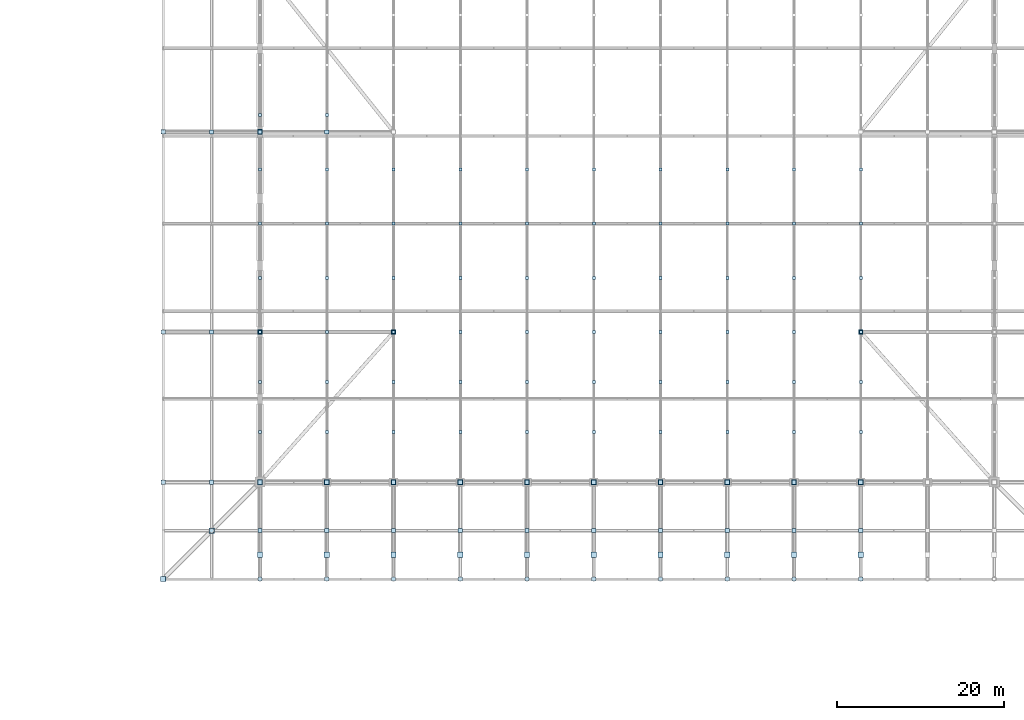
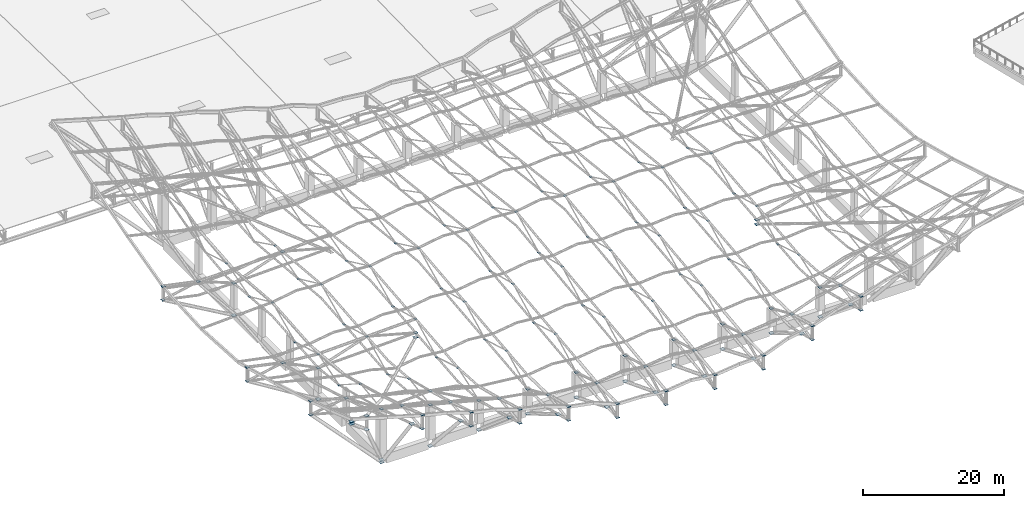
# One storey, part 60 of 75: 146 plates.
"""IFC4 building model written with IfcOpenShell, lengths in metres."""

import ifcopenshell
import ifcopenshell.guid

model = None  # the IFC model being written
_history = None  # IfcOwnerHistory: only IFC2X3 demands one
_inside = {}  # id of a spatial element -> (the spatial element, [elements in it])
_under = {}  # id of a project, library or spatial element -> (it, [spatial elements below it])
_declared = {}  # id of a project -> (the project, [libraries it declares])
_typed = {}  # id of a type object -> (the type object, [elements of that type])
_made_of = {}  # id of a material, layer set ... -> (it, [elements and type objects made of it])


def new_model(schema):
    """Start an empty IFC model of exactly this schema.

    Asked for "IFC4X3", IfcOpenShell would pick the latest addendum, in which some entities
    have other attributes; the version numbers below select the first issue.
    IFC2X3 requires an IfcOwnerHistory on every rooted entity: one is made here for all.
    """
    global model, _history
    if schema == "IFC4X3":
        model = ifcopenshell.file(schema_version=(4, 3, 0, 0))
    else:
        model = ifcopenshell.file(schema=schema)
    _inside.clear()
    _under.clear()
    _declared.clear()
    _typed.clear()
    _made_of.clear()
    _history = None
    if model.schema == "IFC2X3":
        org = make("IfcOrganization", Name="unknown")
        user = make(
            "IfcPersonAndOrganization",
            ThePerson=make("IfcPerson", FamilyName="unknown"),
            TheOrganization=org,
        )
        app = make(
            "IfcApplication",
            ApplicationDeveloper=org,
            Version="unknown",
            ApplicationFullName="unknown",
            ApplicationIdentifier="unknown",
        )
        _history = make(
            "IfcOwnerHistory",
            OwningUser=user,
            OwningApplication=app,
            ChangeAction="ADDED",
            CreationDate=0,
        )
    return model


def make(cls, **values):
    """One entity of the class cls with the attributes given. An attribute that is None is left unset."""
    return model.create_entity(
        cls, **{name: value for name, value in values.items() if value is not None}
    )


def rooted(cls, **values):
    """An entity with a GlobalId (a new one), such as an element, a storey or a relation."""
    return make(cls, GlobalId=ifcopenshell.guid.new(), OwnerHistory=_history, **values)


def si_unit(unit_type, name, prefix=None):
    """IfcSIUnit, for example si_unit("LENGTHUNIT", "METRE", prefix="MILLI")."""
    return make("IfcSIUnit", UnitType=unit_type, Prefix=prefix, Name=name)


def assignment(units):
    """IfcUnitAssignment: the units of a project."""
    return None if units is None else make("IfcUnitAssignment", Units=units)


def point(xyz):
    """IfcCartesianPoint."""
    return None if xyz is None else make("IfcCartesianPoint", Coordinates=xyz)


def direction(xyz):
    """IfcDirection."""
    return None if xyz is None else make("IfcDirection", DirectionRatios=xyz)


def frame(location, z_axis=None, x_axis=None):
    """IfcAxis2Placement3D, a coordinate frame: its origin and axes. An axis left out is left unset."""
    return make(
        "IfcAxis2Placement3D",
        Location=point(location),
        Axis=direction(z_axis),
        RefDirection=direction(x_axis),
    )


def frame_2d(location, x_axis=None):
    """IfcAxis2Placement2D, a coordinate frame in the plane: its origin and x axis."""
    return make(
        "IfcAxis2Placement2D", Location=point(location), RefDirection=direction(x_axis)
    )


def origin():
    """The frame at (0, 0, 0) with its axes left unset."""
    return frame((0.0, 0.0, 0.0))


def origin_2d():
    """The frame at (0, 0) in the plane with its x axis left unset."""
    return frame_2d((0.0, 0.0))


def place(relative_to, where):
    """IfcLocalPlacement: puts the frame where relative to a parent placement (None: the world)."""
    return make(
        "IfcLocalPlacement", PlacementRelTo=relative_to, RelativePlacement=where
    )


def context(
    kind, dimensions, precision=None, world=None, true_north=None, identifier=None
):
    """IfcGeometricRepresentationContext, for example the 3D "Model" context."""
    return make(
        "IfcGeometricRepresentationContext",
        ContextIdentifier=identifier,
        ContextType=kind,
        CoordinateSpaceDimension=dimensions,
        Precision=precision,
        WorldCoordinateSystem=world,
        TrueNorth=true_north,
    )


def subcontext(parent, identifier, kind, view, scale=None):
    """IfcGeometricRepresentationSubContext, for example "Body" below "Model"."""
    return make(
        "IfcGeometricRepresentationSubContext",
        ContextIdentifier=identifier,
        ContextType=kind,
        ParentContext=parent,
        TargetScale=scale,
        TargetView=view,
    )


def project(units=None, contexts=None):
    """IfcProject with its units and contexts."""
    return rooted(
        "IfcProject",
        Name="project",
        RepresentationContexts=contexts,
        UnitsInContext=assignment(units),
    )


def spatial(cls, under=None, at=None, **own):
    """A site, building, storey or space (cls), placed at a placement, below another one or the project."""
    s = rooted(cls, ObjectPlacement=at, **own)
    if under is not None:
        _under.setdefault(under.id(), (under, []))[1].append(s)
    return s


def profile(cls, at=None, kind="AREA", **sizes):
    """A parametric profile (cls). Its sizes go by their IFC names, for example OverallWidth=200.0."""
    return make(cls, ProfileType=kind, Position=at, **sizes)


def rectangle(**sizes):
    """IfcRectangleProfileDef."""
    return profile("IfcRectangleProfileDef", **sizes)


def extrude(swept, where, along, depth):
    """IfcExtrudedAreaSolid: the profile swept, set in the frame where, extruded along a direction by depth."""
    return make(
        "IfcExtrudedAreaSolid",
        SweptArea=swept,
        Position=where,
        ExtrudedDirection=direction(along),
        Depth=depth,
    )


def shape(context_of_items, identifier, shape_type, items):
    """IfcShapeRepresentation: the items that make up one representation, for example the "Body"."""
    return make(
        "IfcShapeRepresentation",
        ContextOfItems=context_of_items,
        RepresentationIdentifier=identifier,
        RepresentationType=shape_type,
        Items=items,
    )


def material(Name=None, Category=None):
    """IfcMaterial."""
    return make("IfcMaterial", Name=Name, Category=Category)


def layer(
    of_material, thickness, ventilated=None, Name=None, Category=None, Priority=None
):
    """IfcMaterialLayer: one layer of a wall or slab, of a material (None: an air gap)."""
    return make(
        "IfcMaterialLayer",
        Material=of_material,
        LayerThickness=thickness,
        IsVentilated=ventilated,
        Name=Name,
        Category=Category,
        Priority=Priority,
    )


def layer_set(layers, Name=None):
    """IfcMaterialLayerSet."""
    return make("IfcMaterialLayerSet", MaterialLayers=layers, LayerSetName=Name)


def made_of(thing, what):
    """Note that an element or type object is made of a material, layer set ...; save() writes the relation."""
    if what is not None:
        _made_of.setdefault(what.id(), (what, []))[1].append(thing)
    return thing


def type_object(cls, material=None, **own):
    """A type object (cls), such as IfcWallType, which elements share."""
    return made_of(rooted(cls, **own), material)


def element(
    cls,
    number,
    at=None,
    inside=None,
    cuts=None,
    type_object=None,
    material=None,
    context=None,
    identifier="Body",
    shape_type=None,
    held_by="IfcProductDefinitionShape",
    body=None,
    shapes=None,
    **own,
):
    """One element of the class cls, such as IfcWall. Its Tag is "e" and its number.

    at: its placement. inside: the storey or other place that contains it. cuts: it is an
    opening in that element (IfcRelVoidsElement). A single representation is given by context,
    identifier, shape_type and body (its items); several are given by shapes. held_by: the class
    of the entity that holds the representations. save() writes the other relations.
    """
    e = rooted(cls, Tag="e%d" % number, ObjectPlacement=at, **own)
    if body is not None:
        shapes = [shape(context, identifier, shape_type, body)]
    if shapes is not None:
        e.Representation = make(held_by, Representations=shapes)
    if inside is not None:
        _inside.setdefault(inside.id(), (inside, []))[1].append(e)
    if cuts is not None:
        rooted(
            "IfcRelVoidsElement", RelatingBuildingElement=cuts, RelatedOpeningElement=e
        )
    if type_object is not None:
        _typed.setdefault(type_object.id(), (type_object, []))[1].append(e)
    return made_of(e, material)


def aggregate(whole, parts):
    """IfcRelAggregates: a whole, such as a stair, and the parts it consists of."""
    return rooted("IfcRelAggregates", RelatingObject=whole, RelatedObjects=parts)


def save(model, path):
    """Write the relations noted so far, then the file.

    IfcRelAggregates (storeys below a building ...), IfcRelContainedInSpatialStructure (elements
    in a storey), IfcRelDefinesByType, IfcRelAssociatesMaterial and IfcRelDeclares: one each for
    every whole, place, type object, material and project.
    """
    for whole, parts in _under.values():
        aggregate(whole, parts)
    for where, things in _inside.values():
        rooted(
            "IfcRelContainedInSpatialStructure",
            RelatedElements=things,
            RelatingStructure=where,
        )
    for kind, things in _typed.values():
        rooted("IfcRelDefinesByType", RelatedObjects=things, RelatingType=kind)
    for what, things in _made_of.values():
        rooted("IfcRelAssociatesMaterial", RelatedObjects=things, RelatingMaterial=what)
    for by, libraries in _declared.values():
        rooted("IfcRelDeclares", RelatingContext=by, RelatedDefinitions=libraries)
    model.write(path)


model = new_model("IFC4")

# Units and contexts
model_context = context("Model", 3, precision=1e-05, world=origin(), true_north=direction((0.0, 1.0)))
body_context = subcontext(model_context, "Body", "Model", "MODEL_VIEW")
ifc_project = project(units=[si_unit("LENGTHUNIT", "METRE"), si_unit("AREAUNIT", "SQUARE_METRE"), si_unit("VOLUMEUNIT", "CUBIC_METRE"), si_unit("PLANEANGLEUNIT", "RADIAN"), si_unit("MASSUNIT", "GRAM", prefix="KILO")], contexts=[model_context])

# Site, building, storey
site_placement = place(None, origin())
site = spatial("IfcSite", under=ifc_project, at=site_placement, CompositionType="ELEMENT")
building_placement = place(site_placement, origin())
building = spatial("IfcBuilding", under=site, at=building_placement, Name="Khorjan Park Terminus", CompositionType="ELEMENT")
storey_placement = place(building_placement, frame((0.0, 0.0, 16.2)))
storey = spatial("IfcBuildingStorey", under=building, at=storey_placement, Name="L03", CompositionType="ELEMENT", Elevation=16.2)

# Plates
ifc_material = material(Name="Steel S355", Category="steel")
ifc_layer_1 = layer(ifc_material, 0.022)
ifc_layer_set_1 = layer_set([ifc_layer_1], Name="Steel S355")
plate_type_1 = type_object("IfcPlateType", Name="PT-GUS-22", PredefinedType="SHEET", material=ifc_layer_set_1)
for number, where, z_axis, x_axis, name in (
    (1, (48.0, 32.0, 8.5601), (0.0, 0.0, 1.0), (1.0, 0.0, 0.0), "Steel truss node cap plate NP-22 (RC2-GUS-END-0213)"),
    (2, (48.0, 38.0, 4.6723), (0.0, 0.0, 1.0), (1.0, 0.0, 0.0), "Steel truss node cap plate NP-22 (RC2-GUS-END-0214)"),
    (3, (48.0, 44.0, 6.4258), (0.0, 0.0, 1.0), (1.0, 0.0, 0.0), "Steel truss node cap plate NP-22 (RC2-GUS-END-0215)"),
    (4, (48.0, 50.5, 4.5565), (0.0, 0.0, 1.0), (1.0, 0.0, 0.0), "Steel truss node cap plate NP-22 (RC2-GUS-END-0216)"),
    (5, (48.0, 57.0, 7.4872), (0.0, 0.0, 1.0), (1.0, 0.0, 0.0), "Steel truss node cap plate NP-22 (RC2-GUS-END-0217)"),
    (6, (48.0, 63.5, 4.5565), (0.0, 0.0, 1.0), (1.0, 0.0, 0.0), "Steel truss node cap plate NP-22 (RC2-GUS-END-0218)"),
    (7, (48.0, 70.0, 6.4258), (0.0, 0.0, 1.0), (1.0, 0.0, 0.0), "Steel truss node cap plate NP-22 (RC2-GUS-END-0219)"),
    (8, (56.0, 32.0, 6.6279), (0.0, 0.0, 1.0), (1.0, 0.0, 0.0), "Steel truss node cap plate NP-22 (RC2-GUS-END-0232)"),
    (9, (56.0, 38.0, 3.7295), (0.0, 0.0, 1.0), (1.0, 0.0, 0.0), "Steel truss node cap plate NP-22 (RC2-GUS-END-0233)"),
    (10, (56.0, 44.0, 6.6686), (0.0, 0.0, 1.0), (1.0, 0.0, 0.0), "Steel truss node cap plate NP-22 (RC2-GUS-END-0234)"),
    (11, (56.0, 50.5, 4.8526), (0.0, 0.0, 1.0), (1.0, 0.0, 0.0), "Steel truss node cap plate NP-22 (RC2-GUS-END-0235)"),
    (12, (56.0, 57.0, 7.8366), (0.0, 0.0, 1.0), (1.0, 0.0, 0.0), "Steel truss node cap plate NP-22 (RC2-GUS-END-0236)"),
    (13, (56.0, 63.5, 4.8526), (0.0, 0.0, 1.0), (1.0, 0.0, 0.0), "Steel truss node cap plate NP-22 (RC2-GUS-END-0237)"),
    (14, (56.0, 70.0, 6.6686), (0.0, 0.0, 1.0), (1.0, 0.0, 0.0), "Steel truss node cap plate NP-22 (RC2-GUS-END-0238)"),
    (15, (64.0, 32.0, 5.7347), (0.0, 0.0, 1.0), (1.0, 0.0, 0.0), "Steel truss node cap plate NP-22 (RC2-GUS-END-0251)"),
    (16, (64.0, 38.0, 3.9231), (0.0, 0.0, 1.0), (1.0, 0.0, 0.0), "Steel truss node cap plate NP-22 (RC2-GUS-END-0252)"),
    (17, (64.0, 44.0, 6.9114), (0.0, 0.0, 1.0), (1.0, 0.0, 0.0), "Steel truss node cap plate NP-22 (RC2-GUS-END-0253)"),
    (18, (64.0, 50.5, 5.1487), (0.0, 0.0, 1.0), (1.0, 0.0, 0.0), "Steel truss node cap plate NP-22 (RC2-GUS-END-0254)"),
    (19, (64.0, 57.0, 8.1861), (0.0, 0.0, 1.0), (1.0, 0.0, 0.0), "Steel truss node cap plate NP-22 (RC2-GUS-END-0255)"),
    (20, (64.0, 63.5, 5.1487), (0.0, 0.0, 1.0), (1.0, 0.0, 0.0), "Steel truss node cap plate NP-22 (RC2-GUS-END-0256)"),
    (21, (72.0, 32.0, 5.8791), (0.0, 0.0, 1.0), (1.0, 0.0, 0.0), "Steel truss node cap plate NP-22 (RC2-GUS-END-0270)"),
    (22, (72.0, 38.0, 4.1166), (0.0, 0.0, 1.0), (1.0, 0.0, 0.0), "Steel truss node cap plate NP-22 (RC2-GUS-END-0271)"),
    (23, (72.0, 44.0, 7.1542), (0.0, 0.0, 1.0), (1.0, 0.0, 0.0), "Steel truss node cap plate NP-22 (RC2-GUS-END-0272)"),
    (24, (72.0, 50.5, 5.4448), (0.0, 0.0, 1.0), (1.0, 0.0, 0.0), "Steel truss node cap plate NP-22 (RC2-GUS-END-0273)"),
    (25, (72.0, 57.0, 8.5355), (0.0, 0.0, 1.0), (1.0, 0.0, 0.0), "Steel truss node cap plate NP-22 (RC2-GUS-END-0274)"),
    (26, (72.0, 63.5, 5.4448), (0.0, 0.0, 1.0), (1.0, 0.0, 0.0), "Steel truss node cap plate NP-22 (RC2-GUS-END-0275)"),
    (27, (80.0, 32.0, 6.0234), (0.0, 0.0, 1.0), (1.0, 0.0, 0.0), "Steel truss node cap plate NP-22 (RC2-GUS-END-0289)"),
    (28, (80.0, 38.0, 4.3102), (0.0, 0.0, 1.0), (1.0, 0.0, 0.0), "Steel truss node cap plate NP-22 (RC2-GUS-END-0290)"),
    (29, (80.0, 44.0, 7.3969), (0.0, 0.0, 1.0), (1.0, 0.0, 0.0), "Steel truss node cap plate NP-22 (RC2-GUS-END-0291)"),
    (30, (80.0, 50.5, 5.7409), (0.0, 0.0, 1.0), (1.0, 0.0, 0.0), "Steel truss node cap plate NP-22 (RC2-GUS-END-0292)"),
    (31, (80.0, 57.0, 8.8849), (0.0, 0.0, 1.0), (1.0, 0.0, 0.0), "Steel truss node cap plate NP-22 (RC2-GUS-END-0293)"),
    (32, (80.0, 63.5, 5.7409), (0.0, 0.0, 1.0), (1.0, 0.0, 0.0), "Steel truss node cap plate NP-22 (RC2-GUS-END-0294)"),
    (33, (88.0, 32.0, 6.1678), (0.0, 0.0, 1.0), (1.0, 0.0, 0.0), "Steel truss node cap plate NP-22 (RC2-GUS-END-0308)"),
    (34, (88.0, 38.0, 4.5038), (0.0, 0.0, 1.0), (1.0, 0.0, 0.0), "Steel truss node cap plate NP-22 (RC2-GUS-END-0309)"),
    (35, (88.0, 44.0, 7.6397), (0.0, 0.0, 1.0), (1.0, 0.0, 0.0), "Steel truss node cap plate NP-22 (RC2-GUS-END-0310)"),
    (36, (88.0, 50.5, 6.037), (0.0, 0.0, 1.0), (1.0, 0.0, 0.0), "Steel truss node cap plate NP-22 (RC2-GUS-END-0311)"),
    (37, (88.0, 57.0, 9.2343), (0.0, 0.0, 1.0), (1.0, 0.0, 0.0), "Steel truss node cap plate NP-22 (RC2-GUS-END-0312)"),
    (38, (88.0, 63.5, 6.037), (0.0, 0.0, 1.0), (1.0, 0.0, 0.0), "Steel truss node cap plate NP-22 (RC2-GUS-END-0313)"),
    (39, (96.0, 32.0, 6.1678), (0.0, 0.0, 1.0), (1.0, 0.0, 0.0), "Steel truss node cap plate NP-22 (RC2-GUS-END-0327)"),
    (40, (96.0, 38.0, 4.5038), (0.0, 0.0, 1.0), (1.0, 0.0, 0.0), "Steel truss node cap plate NP-22 (RC2-GUS-END-0328)"),
    (41, (96.0, 44.0, 7.6397), (0.0, 0.0, 1.0), (1.0, 0.0, 0.0), "Steel truss node cap plate NP-22 (RC2-GUS-END-0329)"),
    (42, (96.0, 50.5, 6.037), (0.0, 0.0, 1.0), (1.0, 0.0, 0.0), "Steel truss node cap plate NP-22 (RC2-GUS-END-0330)"),
    (43, (96.0, 57.0, 9.2343), (0.0, 0.0, 1.0), (1.0, 0.0, 0.0), "Steel truss node cap plate NP-22 (RC2-GUS-END-0331)"),
    (44, (96.0, 63.5, 6.037), (0.0, 0.0, 1.0), (1.0, 0.0, 0.0), "Steel truss node cap plate NP-22 (RC2-GUS-END-0332)"),
    (45, (104.0, 32.0, 6.0234), (0.0, 0.0, 1.0), (1.0, 0.0, 0.0), "Steel truss node cap plate NP-22 (RC2-GUS-END-0346)"),
    (46, (104.0, 38.0, 4.3102), (0.0, 0.0, 1.0), (1.0, 0.0, 0.0), "Steel truss node cap plate NP-22 (RC2-GUS-END-0347)"),
    (47, (104.0, 44.0, 7.3969), (0.0, 0.0, 1.0), (1.0, 0.0, 0.0), "Steel truss node cap plate NP-22 (RC2-GUS-END-0348)"),
    (48, (104.0, 50.5, 5.7409), (0.0, 0.0, 1.0), (1.0, 0.0, 0.0), "Steel truss node cap plate NP-22 (RC2-GUS-END-0349)"),
    (49, (104.0, 57.0, 8.8849), (0.0, 0.0, 1.0), (1.0, 0.0, 0.0), "Steel truss node cap plate NP-22 (RC2-GUS-END-0350)"),
    (50, (104.0, 63.5, 5.7409), (0.0, 0.0, 1.0), (1.0, 0.0, 0.0), "Steel truss node cap plate NP-22 (RC2-GUS-END-0351)"),
    (51, (112.0, 32.0, 5.8791), (0.0, 0.0, 1.0), (1.0, 0.0, 0.0), "Steel truss node cap plate NP-22 (RC2-GUS-END-0365)"),
    (52, (112.0, 38.0, 4.1166), (0.0, 0.0, 1.0), (1.0, 0.0, 0.0), "Steel truss node cap plate NP-22 (RC2-GUS-END-0366)"),
    (53, (112.0, 44.0, 7.1542), (0.0, 0.0, 1.0), (1.0, 0.0, 0.0), "Steel truss node cap plate NP-22 (RC2-GUS-END-0367)"),
    (54, (112.0, 50.5, 5.4448), (0.0, 0.0, 1.0), (1.0, 0.0, 0.0), "Steel truss node cap plate NP-22 (RC2-GUS-END-0368)"),
    (55, (112.0, 57.0, 8.5355), (0.0, 0.0, 1.0), (1.0, 0.0, 0.0), "Steel truss node cap plate NP-22 (RC2-GUS-END-0369)"),
    (56, (112.0, 63.5, 5.4448), (0.0, 0.0, 1.0), (1.0, 0.0, 0.0), "Steel truss node cap plate NP-22 (RC2-GUS-END-0370)"),
    (57, (120.0, 32.0, 5.7347), (0.0, 0.0, 1.0), (1.0, 0.0, 0.0), "Steel truss node cap plate NP-22 (RC2-GUS-END-0384)"),
    (58, (120.0, 38.0, 3.9231), (0.0, 0.0, 1.0), (1.0, 0.0, 0.0), "Steel truss node cap plate NP-22 (RC2-GUS-END-0385)"),
    (59, (120.0, 44.0, 6.9114), (0.0, 0.0, 1.0), (1.0, 0.0, 0.0), "Steel truss node cap plate NP-22 (RC2-GUS-END-0386)"),
    (60, (120.0, 50.5, 5.1487), (0.0, 0.0, 1.0), (1.0, 0.0, 0.0), "Steel truss node cap plate NP-22 (RC2-GUS-END-0387)"),
    (61, (120.0, 57.0, 8.1861), (0.0, 0.0, 1.0), (1.0, 0.0, 0.0), "Steel truss node cap plate NP-22 (RC2-GUS-END-0388)"),
    (62, (120.0, 63.5, 5.1487), (0.0, 0.0, 1.0), (1.0, 0.0, 0.0), "Steel truss node cap plate NP-22 (RC2-GUS-END-0389)"),
):
    element("IfcPlate", number, at=place(storey_placement, frame(where, z_axis=z_axis, x_axis=x_axis)), inside=storey, type_object=plate_type_1, Name=name, PredefinedType="SHEET", context=body_context, shape_type="SweptSolid", body=[
        extrude(rectangle(XDim=0.36, YDim=0.36, at=origin_2d()), origin(), (0.0, 0.0, 1.0), 0.022),
    ])
for number, where, z_axis, x_axis, name in (
    (63, (56.0, 26.0, 8.13), (0.0, 0.0, 1.0), (1.0, 0.0, 0.0), "Steel truss node cap plate NP-22 (RC2-GUS-END-0440)"),
    (64, (64.0, 44.0, 4.5114), (0.0, 0.0, 1.0), (1.0, 0.0, 0.0), "Steel truss node cap plate NP-22 (RC2-GUS-END-0447)"),
    (65, (120.0, 44.0, 4.5114), (0.0, 0.0, 1.0), (1.0, 0.0, 0.0), "Steel truss node cap plate NP-22 (RC2-GUS-END-0449)"),
    (66, (56.0, 68.0, 6.8483), (0.0, 0.0, 1.0), (1.0, 0.0, 0.0), "Steel truss node cap plate NP-22 (RC2-GUS-END-0457)"),
):
    element("IfcPlate", number, at=place(storey_placement, frame(where, z_axis=z_axis, x_axis=x_axis)), inside=storey, type_object=plate_type_1, Name=name, PredefinedType="SHEET", context=body_context, shape_type="SweptSolid", body=[
        extrude(rectangle(XDim=0.49, YDim=0.49, at=origin_2d()), origin(), (0.0, 0.0, 1.0), 0.022),
    ])
ifc_layer_2 = layer(ifc_material, 0.025)
ifc_layer_set_2 = layer_set([ifc_layer_2], Name="Steel S355")
plate_type_2 = type_object("IfcPlateType", Name="PT-GUSE-25", PredefinedType="SHEET", material=ifc_layer_set_2)
for number, where, z_axis, x_axis, name in (
    (67, (64.0, 44.0, 3.7399), (0.0, 0.0, 1.0), (1.0, 0.0, 0.0), "Steel truss node cap plate NPE-25 (RC2-NP-UCRN-BK-SW)"),
    (68, (120.0, 44.0, 3.7399), (0.0, 0.0, 1.0), (1.0, 0.0, 0.0), "Steel truss node cap plate NPE-25 (RC2-NP-UCRN-BK-SE)"),
):
    element("IfcPlate", number, at=place(storey_placement, frame(where, z_axis=z_axis, x_axis=x_axis)), inside=storey, type_object=plate_type_2, Name=name, PredefinedType="SHEET", context=body_context, shape_type="SweptSolid", body=[
        extrude(rectangle(XDim=0.56, YDim=0.56, at=origin_2d()), origin(), (0.0, 0.0, 1.0), 0.025),
    ])
for number, where, z_axis, x_axis, name in (
    (69, (48.0, 14.4, 11.4496), (0.0, 0.0, 1.0), (1.0, 0.0, 0.0), "Steel truss node cap plate NPE-25 (RC2-GUS-END-0210)"),
    (70, (48.0, 20.2, 11.9533), (0.0, 0.0, 1.0), (1.0, 0.0, 0.0), "Steel truss node cap plate NPE-25 (RC2-GUS-END-0211)"),
    (71, (48.0, 26.0, 7.8071), (0.0, 0.0, 1.0), (1.0, 0.0, 0.0), "Steel truss node cap plate NPE-25 (RC2-GUS-END-0212)"),
):
    element("IfcPlate", number, at=place(storey_placement, frame(where, z_axis=z_axis, x_axis=x_axis)), inside=storey, type_object=plate_type_2, Name=name, PredefinedType="SHEET", context=body_context, shape_type="SweptSolid", body=[
        extrude(rectangle(XDim=0.49, YDim=0.49, at=origin_2d()), origin(), (0.0, 0.0, 1.0), 0.025),
    ])
for number, where, z_axis, x_axis, name in (
    (72, (48.0, 26.0, -1.4125), (0.0, 0.0, 1.0), (1.0, 0.0, 0.0), "Steel truss node cap plate NPE-25 (RC2-GUS-END-0225)"),
    (73, (48.0, 17.3, 10.5014), (0.0, 0.0, 1.0), (1.0, 0.0, 0.0), "Steel truss node cap plate NPE-25 (RC2-GUS-END-0226)"),
):
    element("IfcPlate", number, at=place(storey_placement, frame(where, z_axis=z_axis, x_axis=x_axis)), inside=storey, type_object=plate_type_2, Name=name, PredefinedType="SHEET", context=body_context, shape_type="SweptSolid", body=[
        extrude(rectangle(XDim=0.64, YDim=0.64, at=origin_2d()), origin(), (0.0, 0.0, 1.0), 0.025),
    ])
for number, where, z_axis, x_axis, name in (
    (74, (56.0, 14.4, 9.1338), (0.0, 0.0, 1.0), (1.0, 0.0, 0.0), "Steel truss node cap plate NPE-25 (RC2-GUS-END-0229)"),
    (75, (56.0, 20.2, 9.7486), (0.0, 0.0, 1.0), (1.0, 0.0, 0.0), "Steel truss node cap plate NPE-25 (RC2-GUS-END-0230)"),
    (76, (56.0, 26.0, 5.7285), (0.0, 0.0, 1.0), (1.0, 0.0, 0.0), "Steel truss node cap plate NPE-25 (RC2-GUS-END-0231)"),
):
    element("IfcPlate", number, at=place(storey_placement, frame(where, z_axis=z_axis, x_axis=x_axis)), inside=storey, type_object=plate_type_2, Name=name, PredefinedType="SHEET", context=body_context, shape_type="SweptSolid", body=[
        extrude(rectangle(XDim=0.49, YDim=0.49, at=origin_2d()), origin(), (0.0, 0.0, 1.0), 0.025),
    ])
for number, where, z_axis, x_axis, name in (
    (77, (56.0, 26.0, -1.4125), (0.0, 0.0, 1.0), (1.0, 0.0, 0.0), "Steel truss node cap plate NPE-25 (RC2-GUS-END-0244)"),
    (78, (56.0, 17.3, 8.2412), (0.0, 0.0, 1.0), (1.0, 0.0, 0.0), "Steel truss node cap plate NPE-25 (RC2-GUS-END-0245)"),
):
    element("IfcPlate", number, at=place(storey_placement, frame(where, z_axis=z_axis, x_axis=x_axis)), inside=storey, type_object=plate_type_2, Name=name, PredefinedType="SHEET", context=body_context, shape_type="SweptSolid", body=[
        extrude(rectangle(XDim=0.64, YDim=0.64, at=origin_2d()), origin(), (0.0, 0.0, 1.0), 0.025),
    ])
for number, where, z_axis, x_axis, name in (
    (79, (64.0, 14.4, 6.818), (0.0, 0.0, 1.0), (1.0, 0.0, 0.0), "Steel truss node cap plate NPE-25 (RC2-GUS-END-0248)"),
    (80, (64.0, 20.2, 7.5606), (0.0, 0.0, 1.0), (1.0, 0.0, 0.0), "Steel truss node cap plate NPE-25 (RC2-GUS-END-0249)"),
    (81, (64.0, 26.0, 3.6833), (0.0, 0.0, 1.0), (1.0, 0.0, 0.0), "Steel truss node cap plate NPE-25 (RC2-GUS-END-0250)"),
):
    element("IfcPlate", number, at=place(storey_placement, frame(where, z_axis=z_axis, x_axis=x_axis)), inside=storey, type_object=plate_type_2, Name=name, PredefinedType="SHEET", context=body_context, shape_type="SweptSolid", body=[
        extrude(rectangle(XDim=0.49, YDim=0.49, at=origin_2d()), origin(), (0.0, 0.0, 1.0), 0.025),
    ])
for number, where, z_axis, x_axis, name in (
    (82, (64.0, 26.0, -1.4125), (0.0, 0.0, 1.0), (1.0, 0.0, 0.0), "Steel truss node cap plate NPE-25 (RC2-GUS-END-0263)"),
    (83, (64.0, 17.3, 5.9893), (0.0, 0.0, 1.0), (1.0, 0.0, 0.0), "Steel truss node cap plate NPE-25 (RC2-GUS-END-0264)"),
):
    element("IfcPlate", number, at=place(storey_placement, frame(where, z_axis=z_axis, x_axis=x_axis)), inside=storey, type_object=plate_type_2, Name=name, PredefinedType="SHEET", context=body_context, shape_type="SweptSolid", body=[
        extrude(rectangle(XDim=0.64, YDim=0.64, at=origin_2d()), origin(), (0.0, 0.0, 1.0), 0.025),
    ])
for number, where, z_axis, x_axis, name in (
    (84, (72.0, 14.4, 4.5022), (0.0, 0.0, 1.0), (1.0, 0.0, 0.0), "Steel truss node cap plate NPE-25 (RC2-GUS-END-0267)"),
    (85, (72.0, 20.2, 5.3892), (0.0, 0.0, 1.0), (1.0, 0.0, 0.0), "Steel truss node cap plate NPE-25 (RC2-GUS-END-0268)"),
    (86, (72.0, 26.0, 2.8401), (0.0, 0.0, 1.0), (1.0, 0.0, 0.0), "Steel truss node cap plate NPE-25 (RC2-GUS-END-0269)"),
):
    element("IfcPlate", number, at=place(storey_placement, frame(where, z_axis=z_axis, x_axis=x_axis)), inside=storey, type_object=plate_type_2, Name=name, PredefinedType="SHEET", context=body_context, shape_type="SweptSolid", body=[
        extrude(rectangle(XDim=0.49, YDim=0.49, at=origin_2d()), origin(), (0.0, 0.0, 1.0), 0.025),
    ])
for number, where, z_axis, x_axis, name in (
    (87, (72.0, 26.0, -1.4125), (0.0, 0.0, 1.0), (1.0, 0.0, 0.0), "Steel truss node cap plate NPE-25 (RC2-GUS-END-0282)"),
    (88, (72.0, 17.3, 3.7457), (0.0, 0.0, 1.0), (1.0, 0.0, 0.0), "Steel truss node cap plate NPE-25 (RC2-GUS-END-0283)"),
):
    element("IfcPlate", number, at=place(storey_placement, frame(where, z_axis=z_axis, x_axis=x_axis)), inside=storey, type_object=plate_type_2, Name=name, PredefinedType="SHEET", context=body_context, shape_type="SweptSolid", body=[
        extrude(rectangle(XDim=0.64, YDim=0.64, at=origin_2d()), origin(), (0.0, 0.0, 1.0), 0.025),
    ])
for number, where, z_axis, x_axis, name in (
    (89, (80.0, 14.4, 2.1864), (0.0, 0.0, 1.0), (1.0, 0.0, 0.0), "Steel truss node cap plate NPE-25 (RC2-GUS-END-0286)"),
    (90, (80.0, 20.2, 4.6714), (0.0, 0.0, 1.0), (1.0, 0.0, 0.0), "Steel truss node cap plate NPE-25 (RC2-GUS-END-0287)"),
    (91, (80.0, 26.0, 2.9352), (0.0, 0.0, 1.0), (1.0, 0.0, 0.0), "Steel truss node cap plate NPE-25 (RC2-GUS-END-0288)"),
):
    element("IfcPlate", number, at=place(storey_placement, frame(where, z_axis=z_axis, x_axis=x_axis)), inside=storey, type_object=plate_type_2, Name=name, PredefinedType="SHEET", context=body_context, shape_type="SweptSolid", body=[
        extrude(rectangle(XDim=0.49, YDim=0.49, at=origin_2d()), origin(), (0.0, 0.0, 1.0), 0.025),
    ])
for number, where, z_axis, x_axis, name in (
    (92, (80.0, 26.0, -1.4125), (0.0, 0.0, 1.0), (1.0, 0.0, 0.0), "Steel truss node cap plate NPE-25 (RC2-GUS-END-0301)"),
    (93, (80.0, 17.3, 2.2289), (0.0, 0.0, 1.0), (1.0, 0.0, 0.0), "Steel truss node cap plate NPE-25 (RC2-GUS-END-0302)"),
):
    element("IfcPlate", number, at=place(storey_placement, frame(where, z_axis=z_axis, x_axis=x_axis)), inside=storey, type_object=plate_type_2, Name=name, PredefinedType="SHEET", context=body_context, shape_type="SweptSolid", body=[
        extrude(rectangle(XDim=0.64, YDim=0.64, at=origin_2d()), origin(), (0.0, 0.0, 1.0), 0.025),
    ])
for number, where, z_axis, x_axis, name in (
    (94, (88.0, 14.4, 1.6075), (0.0, 0.0, 1.0), (1.0, 0.0, 0.0), "Steel truss node cap plate NPE-25 (RC2-GUS-END-0305)"),
    (95, (88.0, 20.2, 4.7189), (0.0, 0.0, 1.0), (1.0, 0.0, 0.0), "Steel truss node cap plate NPE-25 (RC2-GUS-END-0306)"),
    (96, (88.0, 26.0, 3.0304), (0.0, 0.0, 1.0), (1.0, 0.0, 0.0), "Steel truss node cap plate NPE-25 (RC2-GUS-END-0307)"),
):
    element("IfcPlate", number, at=place(storey_placement, frame(where, z_axis=z_axis, x_axis=x_axis)), inside=storey, type_object=plate_type_2, Name=name, PredefinedType="SHEET", context=body_context, shape_type="SweptSolid", body=[
        extrude(rectangle(XDim=0.49, YDim=0.49, at=origin_2d()), origin(), (0.0, 0.0, 1.0), 0.025),
    ])
for number, where, z_axis, x_axis, name in (
    (97, (88.0, 26.0, -1.4125), (0.0, 0.0, 1.0), (1.0, 0.0, 0.0), "Steel truss node cap plate NPE-25 (RC2-GUS-END-0320)"),
    (98, (88.0, 17.3, 1.9632), (0.0, 0.0, 1.0), (1.0, 0.0, 0.0), "Steel truss node cap plate NPE-25 (RC2-GUS-END-0321)"),
):
    element("IfcPlate", number, at=place(storey_placement, frame(where, z_axis=z_axis, x_axis=x_axis)), inside=storey, type_object=plate_type_2, Name=name, PredefinedType="SHEET", context=body_context, shape_type="SweptSolid", body=[
        extrude(rectangle(XDim=0.64, YDim=0.64, at=origin_2d()), origin(), (0.0, 0.0, 1.0), 0.025),
    ])
for number, where, z_axis, x_axis, name in (
    (99, (96.0, 14.4, 1.6075), (0.0, 0.0, 1.0), (1.0, 0.0, 0.0), "Steel truss node cap plate NPE-25 (RC2-GUS-END-0324)"),
    (100, (96.0, 20.2, 4.7189), (0.0, 0.0, 1.0), (1.0, 0.0, 0.0), "Steel truss node cap plate NPE-25 (RC2-GUS-END-0325)"),
    (101, (96.0, 26.0, 3.0304), (0.0, 0.0, 1.0), (1.0, 0.0, 0.0), "Steel truss node cap plate NPE-25 (RC2-GUS-END-0326)"),
):
    element("IfcPlate", number, at=place(storey_placement, frame(where, z_axis=z_axis, x_axis=x_axis)), inside=storey, type_object=plate_type_2, Name=name, PredefinedType="SHEET", context=body_context, shape_type="SweptSolid", body=[
        extrude(rectangle(XDim=0.49, YDim=0.49, at=origin_2d()), origin(), (0.0, 0.0, 1.0), 0.025),
    ])
for number, where, z_axis, x_axis, name in (
    (102, (96.0, 26.0, -1.4125), (0.0, 0.0, 1.0), (1.0, 0.0, 0.0), "Steel truss node cap plate NPE-25 (RC2-GUS-END-0339)"),
    (103, (96.0, 17.3, 1.9632), (0.0, 0.0, 1.0), (1.0, 0.0, 0.0), "Steel truss node cap plate NPE-25 (RC2-GUS-END-0340)"),
):
    element("IfcPlate", number, at=place(storey_placement, frame(where, z_axis=z_axis, x_axis=x_axis)), inside=storey, type_object=plate_type_2, Name=name, PredefinedType="SHEET", context=body_context, shape_type="SweptSolid", body=[
        extrude(rectangle(XDim=0.64, YDim=0.64, at=origin_2d()), origin(), (0.0, 0.0, 1.0), 0.025),
    ])
for number, where, z_axis, x_axis, name in (
    (104, (104.0, 14.4, 2.1864), (0.0, 0.0, 1.0), (1.0, 0.0, 0.0), "Steel truss node cap plate NPE-25 (RC2-GUS-END-0343)"),
    (105, (104.0, 20.2, 4.6714), (0.0, 0.0, 1.0), (1.0, 0.0, 0.0), "Steel truss node cap plate NPE-25 (RC2-GUS-END-0344)"),
    (106, (104.0, 26.0, 2.9352), (0.0, 0.0, 1.0), (1.0, 0.0, 0.0), "Steel truss node cap plate NPE-25 (RC2-GUS-END-0345)"),
):
    element("IfcPlate", number, at=place(storey_placement, frame(where, z_axis=z_axis, x_axis=x_axis)), inside=storey, type_object=plate_type_2, Name=name, PredefinedType="SHEET", context=body_context, shape_type="SweptSolid", body=[
        extrude(rectangle(XDim=0.49, YDim=0.49, at=origin_2d()), origin(), (0.0, 0.0, 1.0), 0.025),
    ])
for number, where, z_axis, x_axis, name in (
    (107, (104.0, 26.0, -1.4125), (0.0, 0.0, 1.0), (1.0, 0.0, 0.0), "Steel truss node cap plate NPE-25 (RC2-GUS-END-0358)"),
    (108, (104.0, 17.3, 2.2289), (0.0, 0.0, 1.0), (1.0, 0.0, 0.0), "Steel truss node cap plate NPE-25 (RC2-GUS-END-0359)"),
):
    element("IfcPlate", number, at=place(storey_placement, frame(where, z_axis=z_axis, x_axis=x_axis)), inside=storey, type_object=plate_type_2, Name=name, PredefinedType="SHEET", context=body_context, shape_type="SweptSolid", body=[
        extrude(rectangle(XDim=0.64, YDim=0.64, at=origin_2d()), origin(), (0.0, 0.0, 1.0), 0.025),
    ])
for number, where, z_axis, x_axis, name in (
    (109, (112.0, 14.4, 4.5022), (0.0, 0.0, 1.0), (1.0, 0.0, 0.0), "Steel truss node cap plate NPE-25 (RC2-GUS-END-0362)"),
    (110, (112.0, 20.2, 5.3892), (0.0, 0.0, 1.0), (1.0, 0.0, 0.0), "Steel truss node cap plate NPE-25 (RC2-GUS-END-0363)"),
    (111, (112.0, 26.0, 2.8401), (0.0, 0.0, 1.0), (1.0, 0.0, 0.0), "Steel truss node cap plate NPE-25 (RC2-GUS-END-0364)"),
):
    element("IfcPlate", number, at=place(storey_placement, frame(where, z_axis=z_axis, x_axis=x_axis)), inside=storey, type_object=plate_type_2, Name=name, PredefinedType="SHEET", context=body_context, shape_type="SweptSolid", body=[
        extrude(rectangle(XDim=0.49, YDim=0.49, at=origin_2d()), origin(), (0.0, 0.0, 1.0), 0.025),
    ])
for number, where, z_axis, x_axis, name in (
    (112, (112.0, 26.0, -1.4125), (0.0, 0.0, 1.0), (1.0, 0.0, 0.0), "Steel truss node cap plate NPE-25 (RC2-GUS-END-0377)"),
    (113, (112.0, 17.3, 3.7457), (0.0, 0.0, 1.0), (1.0, 0.0, 0.0), "Steel truss node cap plate NPE-25 (RC2-GUS-END-0378)"),
):
    element("IfcPlate", number, at=place(storey_placement, frame(where, z_axis=z_axis, x_axis=x_axis)), inside=storey, type_object=plate_type_2, Name=name, PredefinedType="SHEET", context=body_context, shape_type="SweptSolid", body=[
        extrude(rectangle(XDim=0.64, YDim=0.64, at=origin_2d()), origin(), (0.0, 0.0, 1.0), 0.025),
    ])
for number, where, z_axis, x_axis, name in (
    (114, (120.0, 14.4, 6.818), (0.0, 0.0, 1.0), (1.0, 0.0, 0.0), "Steel truss node cap plate NPE-25 (RC2-GUS-END-0381)"),
    (115, (120.0, 20.2, 7.5606), (0.0, 0.0, 1.0), (1.0, 0.0, 0.0), "Steel truss node cap plate NPE-25 (RC2-GUS-END-0382)"),
    (116, (120.0, 26.0, 3.6833), (0.0, 0.0, 1.0), (1.0, 0.0, 0.0), "Steel truss node cap plate NPE-25 (RC2-GUS-END-0383)"),
):
    element("IfcPlate", number, at=place(storey_placement, frame(where, z_axis=z_axis, x_axis=x_axis)), inside=storey, type_object=plate_type_2, Name=name, PredefinedType="SHEET", context=body_context, shape_type="SweptSolid", body=[
        extrude(rectangle(XDim=0.49, YDim=0.49, at=origin_2d()), origin(), (0.0, 0.0, 1.0), 0.025),
    ])
for number, where, z_axis, x_axis, name in (
    (117, (120.0, 26.0, -1.4125), (0.0, 0.0, 1.0), (1.0, 0.0, 0.0), "Steel truss node cap plate NPE-25 (RC2-GUS-END-0396)"),
    (118, (120.0, 17.3, 5.9893), (0.0, 0.0, 1.0), (1.0, 0.0, 0.0), "Steel truss node cap plate NPE-25 (RC2-GUS-END-0397)"),
):
    element("IfcPlate", number, at=place(storey_placement, frame(where, z_axis=z_axis, x_axis=x_axis)), inside=storey, type_object=plate_type_2, Name=name, PredefinedType="SHEET", context=body_context, shape_type="SweptSolid", body=[
        extrude(rectangle(XDim=0.64, YDim=0.64, at=origin_2d()), origin(), (0.0, 0.0, 1.0), 0.025),
    ])
for number, where, z_axis, x_axis, name in (
    (119, (36.4, 26.0, 10.8804), (0.0, 0.0, 1.0), (1.0, 0.0, 0.0), "Steel truss node cap plate NPE-25 (RC2-GUS-END-0438)"),
    (120, (42.2, 26.0, 11.735), (0.0, 0.0, 1.0), (1.0, 0.0, 0.0), "Steel truss node cap plate NPE-25 (RC2-GUS-END-0439)"),
    (121, (36.4, 44.0, 5.802), (0.0, 0.0, 1.0), (1.0, 0.0, 0.0), "Steel truss node cap plate NPE-25 (RC2-GUS-END-0444)"),
    (122, (42.2, 44.0, 6.9504), (0.0, 0.0, 1.0), (1.0, 0.0, 0.0), "Steel truss node cap plate NPE-25 (RC2-GUS-END-0445)"),
    (123, (48.0, 44.0, 4.0243), (0.0, 0.0, 1.0), (1.0, 0.0, 0.0), "Steel truss node cap plate NPE-25 (RC2-GUS-END-0446)"),
):
    element("IfcPlate", number, at=place(storey_placement, frame(where, z_axis=z_axis, x_axis=x_axis)), inside=storey, type_object=plate_type_2, Name=name, PredefinedType="SHEET", context=body_context, shape_type="SweptSolid", body=[
        extrude(rectangle(XDim=0.49, YDim=0.49, at=origin_2d()), origin(), (0.0, 0.0, 1.0), 0.025),
    ])
plate_1_placement = place(storey_placement, frame((48.0, 44.0, -1.4125), z_axis=(0.0, 0.0, 1.0), x_axis=(1.0, 0.0, 0.0)))
element("IfcPlate", 124, at=plate_1_placement, inside=storey, type_object=plate_type_2, Name="Steel truss node cap plate NPE-25 (RC2-GUS-END-0448)", PredefinedType="SHEET", context=body_context, shape_type="SweptSolid", body=[
    extrude(rectangle(XDim=0.64, YDim=0.64, at=origin_2d()), origin(), (0.0, 0.0, 1.0), 0.025),
])
for number, where, z_axis, x_axis, name in (
    (125, (36.4, 68.0, 5.3139), (0.0, 0.0, 1.0), (1.0, 0.0, 0.0), "Steel truss node cap plate NPE-25 (RC2-GUS-END-0454)"),
    (126, (42.2, 68.0, 6.5015), (0.0, 0.0, 1.0), (1.0, 0.0, 0.0), "Steel truss node cap plate NPE-25 (RC2-GUS-END-0455)"),
    (127, (48.0, 68.0, 4.1876), (0.0, 0.0, 1.0), (1.0, 0.0, 0.0), "Steel truss node cap plate NPE-25 (RC2-GUS-END-0456)"),
):
    element("IfcPlate", number, at=place(storey_placement, frame(where, z_axis=z_axis, x_axis=x_axis)), inside=storey, type_object=plate_type_2, Name=name, PredefinedType="SHEET", context=body_context, shape_type="SweptSolid", body=[
        extrude(rectangle(XDim=0.49, YDim=0.49, at=origin_2d()), origin(), (0.0, 0.0, 1.0), 0.025),
    ])
for number, where, z_axis, x_axis, name in (
    (128, (48.0, 68.0, -1.4125), (0.0, 0.0, 1.0), (1.0, 0.0, 0.0), "Steel truss node cap plate NPE-25 (RC2-GUS-END-0459)"),
    (129, (48.0, 26.0, -1.0125), (0.0, 0.0, 1.0), (1.0, 0.0, 0.0), "Steel truss node cap plate NPE-25 (RC2-GUS-END-0472)"),
    (130, (42.2, 20.2, 9.7922), (0.0, 0.0, 1.0), (1.0, 0.0, 0.0), "Steel truss node cap plate NPE-25 (RC2-GUS-END-0473)"),
    (131, (36.4, 14.4, 16.3375), (0.0, 0.0, 1.0), (1.0, 0.0, 0.0), "Steel truss node cap plate NPE-25 (RC2-GUS-END-0474)"),
):
    element("IfcPlate", number, at=place(storey_placement, frame(where, z_axis=z_axis, x_axis=x_axis)), inside=storey, type_object=plate_type_2, Name=name, PredefinedType="SHEET", context=body_context, shape_type="SweptSolid", body=[
        extrude(rectangle(XDim=0.64, YDim=0.64, at=origin_2d()), origin(), (0.0, 0.0, 1.0), 0.025),
    ])
plate_2_placement = place(storey_placement, frame((42.2, 20.2, 12.1922), z_axis=(0.0, 0.0, 1.0), x_axis=(1.0, 0.0, 0.0)))
element("IfcPlate", 132, at=plate_2_placement, inside=storey, type_object=plate_type_2, Name="Steel truss node cap plate NPE-25 (RC2-GUS-END-0475)", PredefinedType="SHEET", context=body_context, shape_type="SweptSolid", body=[
    extrude(rectangle(XDim=0.59, YDim=0.59, at=origin_2d()), origin(), (0.0, 0.0, 1.0), 0.025),
])
ifc_layer_3 = layer(ifc_material, 0.03)
ifc_layer_set_3 = layer_set([ifc_layer_3], Name="Steel S355")
plate_type_3 = type_object("IfcPlateType", Name="PT-GUSE-30", PredefinedType="SHEET", material=ifc_layer_set_3)
for number, where, z_axis, x_axis, name in (
    (133, (48.0, 14.4, 13.8471), (0.0, 0.0, 1.0), (1.0, 0.0, 0.0), "Steel truss node cap plate NPE-30 (RC2-NP-UTR01-S)"),
    (134, (56.0, 14.4, 11.5313), (0.0, 0.0, 1.0), (1.0, 0.0, 0.0), "Steel truss node cap plate NPE-30 (RC2-NP-UTR02-S)"),
    (135, (64.0, 14.4, 9.2155), (0.0, 0.0, 1.0), (1.0, 0.0, 0.0), "Steel truss node cap plate NPE-30 (RC2-NP-UTR03-S)"),
    (136, (72.0, 14.4, 6.8997), (0.0, 0.0, 1.0), (1.0, 0.0, 0.0), "Steel truss node cap plate NPE-30 (RC2-NP-UTR04-S)"),
    (137, (80.0, 14.4, 4.5839), (0.0, 0.0, 1.0), (1.0, 0.0, 0.0), "Steel truss node cap plate NPE-30 (RC2-NP-UTR05-S)"),
    (138, (88.0, 14.4, 4.005), (0.0, 0.0, 1.0), (1.0, 0.0, 0.0), "Steel truss node cap plate NPE-30 (RC2-NP-UTR06-S)"),
    (139, (96.0, 14.4, 4.005), (0.0, 0.0, 1.0), (1.0, 0.0, 0.0), "Steel truss node cap plate NPE-30 (RC2-NP-UTR07-S)"),
    (140, (104.0, 14.4, 4.5839), (0.0, 0.0, 1.0), (1.0, 0.0, 0.0), "Steel truss node cap plate NPE-30 (RC2-NP-UTR08-S)"),
    (141, (112.0, 14.4, 6.8997), (0.0, 0.0, 1.0), (1.0, 0.0, 0.0), "Steel truss node cap plate NPE-30 (RC2-NP-UTR09-S)"),
    (142, (120.0, 14.4, 9.2155), (0.0, 0.0, 1.0), (1.0, 0.0, 0.0), "Steel truss node cap plate NPE-30 (RC2-NP-UTR10-S)"),
    (143, (36.4, 26.0, 13.2779), (0.0, 0.0, 1.0), (1.0, 0.0, 0.0), "Steel truss node cap plate NPE-30 (RC2-NP-ULN-W1-T)"),
    (144, (36.4, 44.0, 8.1995), (0.0, 0.0, 1.0), (1.0, 0.0, 0.0), "Steel truss node cap plate NPE-30 (RC2-NP-ULN-W2-T)"),
    (145, (36.4, 68.0, 7.7114), (0.0, 0.0, 1.0), (1.0, 0.0, 0.0), "Steel truss node cap plate NPE-30 (RC2-NP-ULN-W3-T)"),
):
    element("IfcPlate", number, at=place(storey_placement, frame(where, z_axis=z_axis, x_axis=x_axis)), inside=storey, type_object=plate_type_3, Name=name, PredefinedType="SHEET", context=body_context, shape_type="SweptSolid", body=[
        extrude(rectangle(XDim=0.52, YDim=0.52, at=origin_2d()), origin(), (0.0, 0.0, 1.0), 0.03),
    ])
ifc_layer_4 = layer(ifc_material, 0.035)
ifc_layer_set_4 = layer_set([ifc_layer_4], Name="Steel S355")
plate_type_4 = type_object("IfcPlateType", Name="PT-GUSE-35", PredefinedType="SHEET", material=ifc_layer_set_4)
plate_3_placement = place(storey_placement, frame((36.4, 14.4, 16.7325), z_axis=(0.0, 0.0, 1.0), x_axis=(1.0, 0.0, 0.0)))
element("IfcPlate", 146, at=plate_3_placement, inside=storey, type_object=plate_type_4, Name="Steel truss node cap plate NPE-35 (RC2-NP-UCRN-SW)", PredefinedType="SHEET", context=body_context, shape_type="SweptSolid", body=[
    extrude(rectangle(XDim=0.6, YDim=0.6, at=origin_2d()), origin(), (0.0, 0.0, 1.0), 0.035),
])

save(model, "model.ifc")
